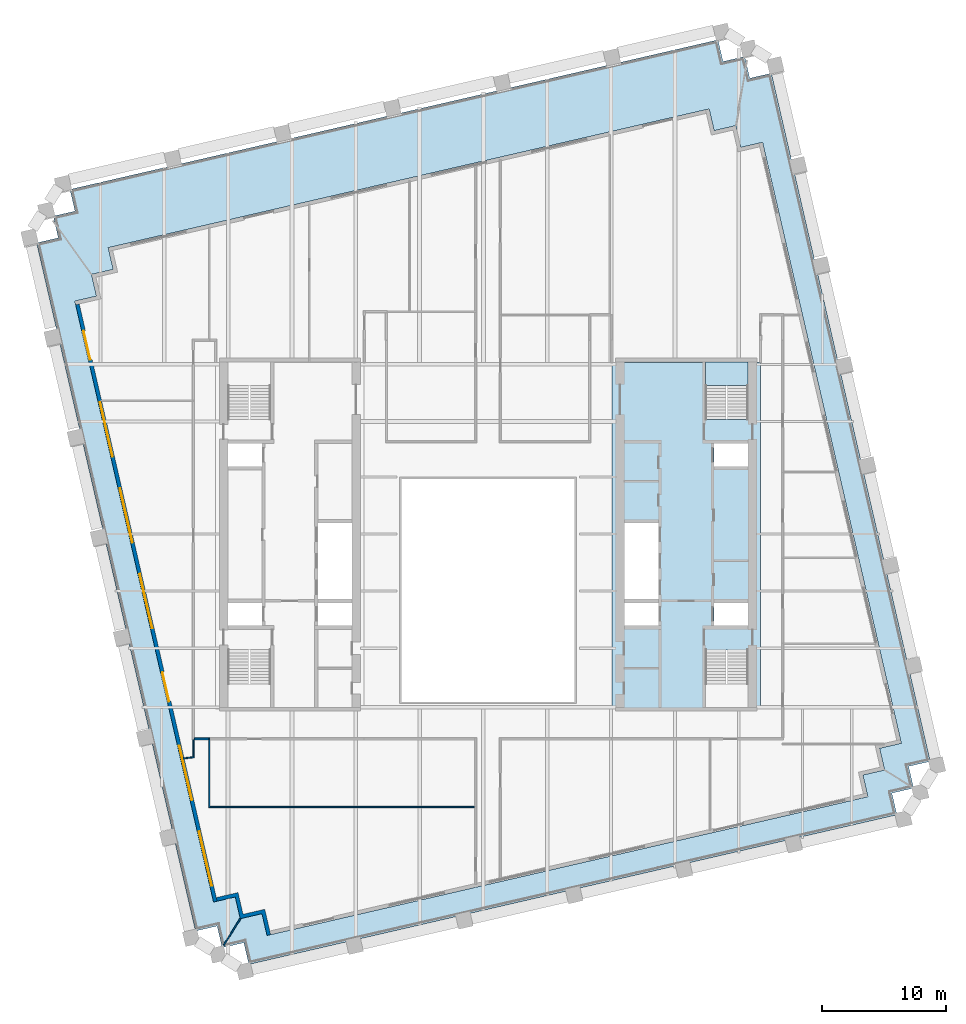
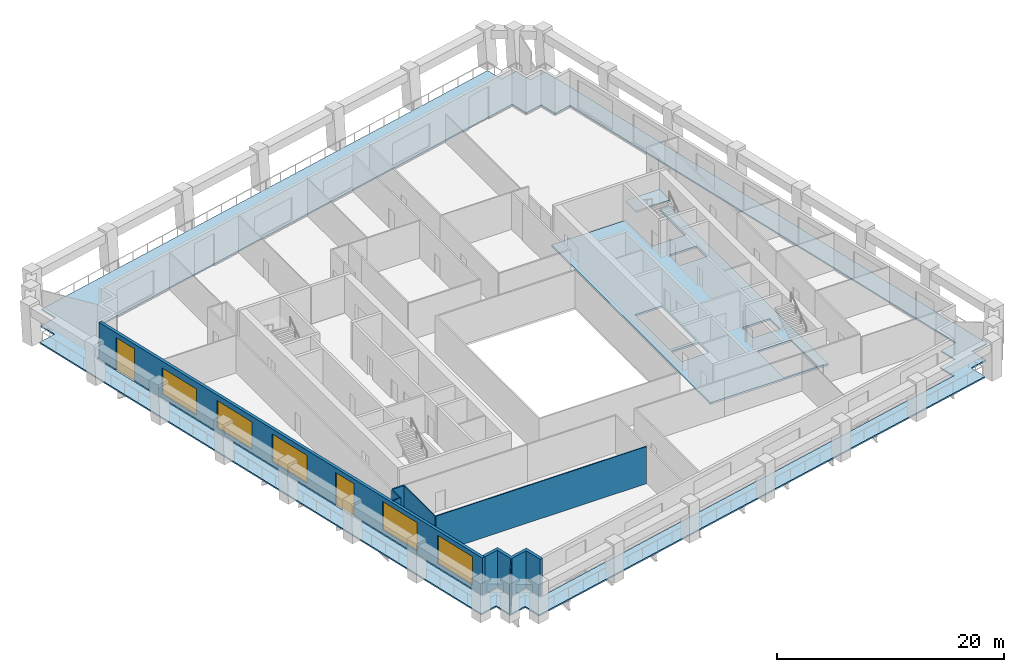
# One storey, part 3 of 10: 8 walls, 5 windows, 3 slabs, 2 doors, 7 openings, 1 element without a shape of its own.
"""IFC4 building model written with IfcOpenShell, lengths in metres."""

from ifc_helpers import new_model, si_unit, direction, frame, frame_2d, origin, place, context, subcontext, project, spatial, polyline, rectangle, outline, extrude, material, layer, layer_set, type_object, element, fill, aggregate, save


model = new_model("IFC4")

# Units and contexts
model_context = context("Model", 3, precision=1e-05, world=origin(), true_north=direction((0.0, 1.0)))
body_context = subcontext(model_context, "Body", "Model", "MODEL_VIEW")
ifc_project = project(units=[si_unit("LENGTHUNIT", "METRE"), si_unit("AREAUNIT", "SQUARE_METRE"), si_unit("VOLUMEUNIT", "CUBIC_METRE"), si_unit("PLANEANGLEUNIT", "RADIAN"), si_unit("MASSUNIT", "GRAM", prefix="KILO")], contexts=[model_context])

# Site, building, storey
site_placement = place(None, origin())
site = spatial("IfcSite", under=ifc_project, at=site_placement, CompositionType="ELEMENT")
building_placement = place(site_placement, origin())
building = spatial("IfcBuilding", under=site, at=building_placement, Name="Ogive Exchange Tower", CompositionType="ELEMENT")
storey_placement = place(building_placement, frame((0.0, 0.0, 205.199951171875)))
storey = spatial("IfcBuildingStorey", under=building, at=storey_placement, Name="L45", CompositionType="ELEMENT", Elevation=205.199951171875)

# Slabs
ifc_material_1 = material(Name="Concrete C70/85", Category="concrete")
ifc_layer_1 = layer(ifc_material_1, 0.199951171875)
ifc_layer_set_1 = layer_set([ifc_layer_1], Name="Core floor slab 200")
slab_type_1 = type_object("IfcSlabType", Name="Core floor slab 200", PredefinedType="FLOOR", material=ifc_layer_set_1)
slab_1_placement = place(storey_placement, frame((0.0, 0.0, -0.199951171875)))
element("IfcSlab", 1, at=slab_1_placement, inside=storey, type_object=slab_type_1, Name="Core floor slab", PredefinedType="FLOOR", context=body_context, shape_type="SweptSolid", body=[
    extrude(outline(polyline([(22.0, 25.39990234375), (22.0, -2.60009765625), (10.0, -2.60009765625), (10.0, 25.39990234375), (17.550048828125, 25.39990234375), (17.550048828125, 20.803955078125), (21.0, 20.803955078125), (21.0, 25.39990234375), (22.0, 25.39990234375)]), holes=[polyline([(21.0, 2.196044921875), (17.550048828125, 2.196044921875), (17.550048828125, -2.449951171875), (21.0, -2.449951171875), (21.0, 2.196044921875)]), polyline([(13.75, 5.992919921875), (11.0, 5.992919921875), (11.0, 4.14990234375), (13.75, 4.14990234375), (13.75, 5.992919921875)]), polyline([(21.0, 5.992919921875), (18.25, 5.992919921875), (18.25, 4.14990234375), (21.0, 4.14990234375), (21.0, 5.992919921875)]), polyline([(11.0, 12.42138671875), (11.0, 6.29296875), (13.75, 6.29296875), (13.75, 12.42138671875), (11.0, 12.42138671875)]), polyline([(21.0, 18.85009765625), (18.25, 18.85009765625), (18.25, 17.007080078125), (21.0, 17.007080078125), (21.0, 18.85009765625)])]), origin(), (0.0, 0.0, 1.0), 0.199951171875),
])
ifc_material_2 = material(Name="Concrete C50/60", Category="concrete")
ifc_layer_2 = layer(ifc_material_2, 0.14990234375)
ifc_layer_set_2 = layer_set([ifc_layer_2], Name="Loggia deck 150")
slab_type_2 = type_object("IfcSlabType", Name="Loggia deck 150", PredefinedType="FLOOR", material=ifc_layer_set_2)
slab_2_placement = place(storey_placement, frame((0.0, 0.0, -0.199951171875)))
element("IfcSlab", 2, at=slab_2_placement, inside=storey, type_object=slab_type_2, Name="Loggia deck", PredefinedType="FLOOR", context=body_context, shape_type="SweptSolid", body=[
    extrude(outline(polyline([(-19.717041015625, -21.45556640625), (-21.470947265625, -21.860595703125), (-21.875732421875, -20.106689453125), (-23.629638671875, -20.51171875), (-36.4580078125, 35.054443359375), (-34.7041015625, 35.45947265625), (-35.109130859375, 37.21337890625), (-33.355224609375, 37.6181640625), (-33.76025390625, 39.3720703125), (18.5634765625, 51.451904296875), (18.968505859375, 49.697998046875), (20.722412109375, 50.10302734375), (21.127197265625, 48.34912109375), (22.881103515625, 48.75390625), (35.70947265625, -6.81201171875), (33.95556640625, -7.217041015625), (34.360595703125, -8.970947265625), (32.606689453125, -9.375732421875), (33.01171875, -11.129638671875), (-19.31201171875, -23.20947265625), (-19.717041015625, -21.45556640625)]), holes=[polyline([(30.26806640625, -7.914306640625), (32.02197265625, -7.509521484375), (31.616943359375, -5.755615234375), (33.370849609375, -5.3505859375), (22.168212890625, 43.1728515625), (20.414306640625, 42.76806640625), (20.009521484375, 44.52197265625), (18.255615234375, 44.116943359375), (17.8505859375, 45.870849609375), (-30.6728515625, 34.668212890625), (-30.26806640625, 32.914306640625), (-32.02197265625, 32.509521484375), (-31.616943359375, 30.755615234375), (-33.370849609375, 30.3505859375), (-22.168212890625, -18.1728515625), (-20.414306640625, -17.76806640625), (-20.009521484375, -19.52197265625), (-18.255615234375, -19.116943359375), (-17.8505859375, -20.870849609375), (30.6728515625, -9.668212890625), (30.26806640625, -7.914306640625)])]), origin(), (0.0, 0.0, 1.0), 0.14990234375),
])

# Stair, slab
ifc_material_3 = material(Name="Concrete C40/50", Category="concrete")
stair_type = type_object("IfcStairType", Name="Exit stair 1650 wide", PredefinedType="HALF_TURN_STAIR", material=ifc_material_3)
stair_placement = place(storey_placement, origin())
stair = element("IfcStair", 3, at=stair_placement, inside=storey, type_object=stair_type, Name="L45 exit stair ST4", PredefinedType="HALF_TURN_STAIR")
ifc_layer_3 = layer(ifc_material_3, 0.199951171875)
ifc_layer_set_3 = layer_set([ifc_layer_3], Name="Stair landing 200 slab")
slab_type_3 = type_object("IfcSlabType", Name="Stair landing 200 slab", PredefinedType="LANDING", material=ifc_layer_set_3)
slab_3_placement = place(storey_placement, frame((0.0, 0.0, 1.900146484375)))
slab_3 = element("IfcSlab", 4, at=slab_3_placement, type_object=slab_type_3, Name="ST4 landing 1", PredefinedType="LANDING", context=body_context, shape_type="SweptSolid", body=[
    extrude(outline(polyline([(21.0, 23.550048828125), (21.0, 25.449951171875), (17.550048828125, 25.449951171875), (17.550048828125, 23.550048828125), (21.0, 23.550048828125)])), origin(), (0.0, 0.0, 1.0), 0.199951171875),
])
aggregate(stair, [slab_3])

# Wall
ifc_material_4 = material(Name="Fire partition EI 60 150")
ifc_layer_4 = layer(ifc_material_4, 0.14990234375)
ifc_layer_set_4 = layer_set([ifc_layer_4], Name="Fire partition EI 60 150")
wall_type_1 = type_object("IfcWallType", Name="Fire partition EI 60 150", PredefinedType="PARTITIONING", material=ifc_layer_set_4)
wall_1_placement = place(storey_placement, frame((-22.570068359375, -5.0, 0.0), z_axis=(0.0, 0.0, 1.0), x_axis=(-1.0, 0.0, 0.0)))
element("IfcWall", 5, at=wall_1_placement, inside=storey, type_object=wall_type_1, Name="L45-PWL-008", PredefinedType="PARTITIONING", context=body_context, shape_type="SweptSolid", body=[
    extrude(rectangle(XDim=1.14501953125, YDim=0.14990234375, at=frame_2d((0.572509765625, 0.0))), origin(), (0.0, 0.0, 1.0), 4.0),
])

# Wall, openings, doors, windows
ifc_material_5 = material(Name="Precast concrete C40/50", Category="concrete")
ifc_layer_5 = layer(ifc_material_5, 0.300048828125)
ifc_layer_set_5 = layer_set([ifc_layer_5], Name="Limestone-faced wall 300")
wall_type_2 = type_object("IfcWallType", Name="Limestone-faced wall 300", PredefinedType="STANDARD", material=ifc_layer_set_5)
wall_2_placement = place(storey_placement, frame((-33.1572265625, 30.092041015625, 0.0), z_axis=(0.0, 0.0, 1.0), x_axis=(0.224950279389, -0.974370243697, 0.0)))
wall_2 = element("IfcWall", 6, at=wall_2_placement, inside=storey, type_object=wall_type_2, Name="External wall W4", PredefinedType="STANDARD", context=body_context, shape_type="SweptSolid", body=[
    extrude(rectangle(XDim=49.499755859375, YDim=0.300048828125, at=frame_2d((24.75, 0.0))), origin(), (0.0, 0.0, 1.0), 4.0),
])
opening_1_placement = place(wall_2_placement, frame((2.20703125, 0.0, 0.0)))
opening_1 = element("IfcOpeningElement", 7, at=opening_1_placement, cuts=wall_2, Name="Opening D1", PredefinedType="OPENING", context=body_context, shape_type="SweptSolid", body=[
    extrude(rectangle(XDim=2.39990234375, YDim=3.5, at=frame_2d((1.199951171875, 1.75))), frame((0.0, 0.159912109375, 0.0), z_axis=(0.0, -1.0, 0.0), x_axis=(1.0, 0.0, 0.0)), (0.0, 0.0, 1.0), 0.320068359375),
])
opening_2_placement = place(wall_2_placement, frame((8.121337890625, 0.0, 0.449951171875)))
opening_2 = element("IfcOpeningElement", 8, at=opening_2_placement, cuts=wall_2, Name="Opening W1E", PredefinedType="OPENING", context=body_context, shape_type="SweptSolid", body=[
    extrude(rectangle(XDim=4.5, YDim=2.824951171875, at=frame_2d((2.25, 1.41259765625))), frame((0.0, 0.159912109375, 0.0), z_axis=(0.0, -1.0, 0.0), x_axis=(1.0, 0.0, 0.0)), (0.0, 0.0, 1.0), 0.320068359375),
])
opening_3_placement = place(wall_2_placement, frame((15.235595703125, 0.0, 0.449951171875)))
opening_3 = element("IfcOpeningElement", 9, at=opening_3_placement, cuts=wall_2, Name="Opening W1B", PredefinedType="OPENING", context=body_context, shape_type="SweptSolid", body=[
    extrude(rectangle(XDim=4.5, YDim=2.949951171875, at=frame_2d((2.25, 1.47509765625))), frame((0.0, 0.159912109375, 0.0), z_axis=(0.0, -1.0, 0.0), x_axis=(1.0, 0.0, 0.0)), (0.0, 0.0, 1.0), 0.320068359375),
])
opening_4_placement = place(wall_2_placement, frame((22.35009765625, 0.0, 0.449951171875)))
opening_4 = element("IfcOpeningElement", 10, at=opening_4_placement, cuts=wall_2, Name="Opening W1A", PredefinedType="OPENING", context=body_context, shape_type="SweptSolid", body=[
    extrude(rectangle(XDim=4.5, YDim=3.0, at=frame_2d((2.25, 1.5))), frame((0.0, 0.159912109375, 0.0), z_axis=(0.0, -1.0, 0.0), x_axis=(1.0, 0.0, 0.0)), (0.0, 0.0, 1.0), 0.320068359375),
])
opening_5_placement = place(wall_2_placement, frame((30.51416015625, 0.0, 0.0)))
opening_5 = element("IfcOpeningElement", 11, at=opening_5_placement, cuts=wall_2, Name="Opening D1", PredefinedType="OPENING", context=body_context, shape_type="SweptSolid", body=[
    extrude(rectangle(XDim=2.39990234375, YDim=3.5, at=frame_2d((1.199951171875, 1.75))), frame((0.0, 0.159912109375, 0.0), z_axis=(0.0, -1.0, 0.0), x_axis=(1.0, 0.0, 0.0)), (0.0, 0.0, 1.0), 0.320068359375),
])
opening_6_placement = place(wall_2_placement, frame((36.57861328125, 0.0, 0.449951171875)))
opening_6 = element("IfcOpeningElement", 12, at=opening_6_placement, cuts=wall_2, Name="Opening W1", PredefinedType="OPENING", context=body_context, shape_type="SweptSolid", body=[
    extrude(rectangle(XDim=4.5, YDim=3.050048828125, at=frame_2d((2.25, 1.52490234375))), frame((0.0, 0.159912109375, 0.0), z_axis=(0.0, -1.0, 0.0), x_axis=(1.0, 0.0, 0.0)), (0.0, 0.0, 1.0), 0.320068359375),
])
opening_7_placement = place(wall_2_placement, frame((43.69287109375, 0.0, 0.449951171875)))
opening_7 = element("IfcOpeningElement", 13, at=opening_7_placement, cuts=wall_2, Name="Opening W1", PredefinedType="OPENING", context=body_context, shape_type="SweptSolid", body=[
    extrude(rectangle(XDim=4.5, YDim=3.050048828125, at=frame_2d((2.25, 1.52490234375))), frame((0.0, 0.159912109375, 0.0), z_axis=(0.0, -1.0, 0.0), x_axis=(1.0, 0.0, 0.0)), (0.0, 0.0, 1.0), 0.320068359375),
])
ifc_material_6 = material(Name="Clear glass in bronze frame", Category="glass")
door_type = type_object("IfcDoorType", Name="Sliding loggia door 2400 x 3500", OperationType="DOUBLE_DOOR_SLIDING", PredefinedType="DOOR", material=ifc_material_6)
door_1_placement = place(opening_1_placement, origin())
door_1 = element("IfcDoor", 14, at=door_1_placement, inside=storey, type_object=door_type, Name="Loggia door W00", OperationType="DOUBLE_DOOR_SLIDING", OverallHeight=3.5, OverallWidth=2.39990234375, PredefinedType="DOOR", context=body_context, shape_type="SweptSolid", body=[
    extrude(rectangle(XDim=2.39990234375, YDim=3.5, at=frame_2d((1.199951171875, 1.75))), frame((0.0, 0.02490234375, 0.0), z_axis=(0.0, -1.0, 0.0), x_axis=(1.0, 0.0, 0.0)), (0.0, 0.0, 1.0), 0.050048828125),
])
fill(opening_1, door_1)
door_2_placement = place(opening_5_placement, origin())
door_2 = element("IfcDoor", 15, at=door_2_placement, inside=storey, type_object=door_type, Name="Loggia door W04", OperationType="DOUBLE_DOOR_SLIDING", OverallHeight=3.5, OverallWidth=2.39990234375, PredefinedType="DOOR", context=body_context, shape_type="SweptSolid", body=[
    extrude(rectangle(XDim=2.39990234375, YDim=3.5, at=frame_2d((1.199951171875, 1.75))), frame((0.0, 0.02490234375, 0.0), z_axis=(0.0, -1.0, 0.0), x_axis=(1.0, 0.0, 0.0)), (0.0, 0.0, 1.0), 0.050048828125),
])
fill(opening_5, door_2)
window_type_1 = type_object("IfcWindowType", Name="Twin lancet window 4500 x 2825", PartitioningType="DOUBLE_PANEL_VERTICAL", PredefinedType="WINDOW", material=ifc_material_6)
window_1_placement = place(opening_2_placement, origin())
window_1 = element("IfcWindow", 16, at=window_1_placement, inside=storey, type_object=window_type_1, Name="Window W01", OverallHeight=2.824951171875, OverallWidth=4.5, PartitioningType="DOUBLE_PANEL_VERTICAL", PredefinedType="WINDOW", context=body_context, shape_type="SweptSolid", body=[
    extrude(rectangle(XDim=4.5, YDim=2.824951171875, at=frame_2d((2.25, 1.41259765625))), frame((0.0, 0.030029296875, 0.0), z_axis=(0.0, -1.0, 0.0), x_axis=(1.0, 0.0, 0.0)), (0.0, 0.0, 1.0), 0.06005859375),
])
fill(opening_2, window_1)
window_type_2 = type_object("IfcWindowType", Name="Twin lancet window 4500 x 2950", PartitioningType="DOUBLE_PANEL_VERTICAL", PredefinedType="WINDOW", material=ifc_material_6)
window_2_placement = place(opening_3_placement, origin())
window_2 = element("IfcWindow", 17, at=window_2_placement, inside=storey, type_object=window_type_2, Name="Window W02", OverallHeight=2.949951171875, OverallWidth=4.5, PartitioningType="DOUBLE_PANEL_VERTICAL", PredefinedType="WINDOW", context=body_context, shape_type="SweptSolid", body=[
    extrude(rectangle(XDim=4.5, YDim=2.949951171875, at=frame_2d((2.25, 1.47509765625))), frame((0.0, 0.030029296875, 0.0), z_axis=(0.0, -1.0, 0.0), x_axis=(1.0, 0.0, 0.0)), (0.0, 0.0, 1.0), 0.06005859375),
])
fill(opening_3, window_2)
window_type_3 = type_object("IfcWindowType", Name="Twin lancet window 4500 x 3000", PartitioningType="DOUBLE_PANEL_VERTICAL", PredefinedType="WINDOW", material=ifc_material_6)
window_3_placement = place(opening_4_placement, origin())
window_3 = element("IfcWindow", 18, at=window_3_placement, inside=storey, type_object=window_type_3, Name="Window W03", OverallHeight=3.0, OverallWidth=4.5, PartitioningType="DOUBLE_PANEL_VERTICAL", PredefinedType="WINDOW", context=body_context, shape_type="SweptSolid", body=[
    extrude(rectangle(XDim=4.5, YDim=3.0, at=frame_2d((2.25, 1.5))), frame((0.0, 0.030029296875, 0.0), z_axis=(0.0, -1.0, 0.0), x_axis=(1.0, 0.0, 0.0)), (0.0, 0.0, 1.0), 0.06005859375),
])
fill(opening_4, window_3)
window_type_4 = type_object("IfcWindowType", Name="Twin lancet window 4500 x 3050", PartitioningType="DOUBLE_PANEL_VERTICAL", PredefinedType="WINDOW", material=ifc_material_6)
window_4_placement = place(opening_6_placement, origin())
window_4 = element("IfcWindow", 19, at=window_4_placement, inside=storey, type_object=window_type_4, Name="Window W05", OverallHeight=3.050048828125, OverallWidth=4.5, PartitioningType="DOUBLE_PANEL_VERTICAL", PredefinedType="WINDOW", context=body_context, shape_type="SweptSolid", body=[
    extrude(rectangle(XDim=4.5, YDim=3.050048828125, at=frame_2d((2.25, 1.52490234375))), frame((0.0, 0.030029296875, 0.0), z_axis=(0.0, -1.0, 0.0), x_axis=(1.0, 0.0, 0.0)), (0.0, 0.0, 1.0), 0.06005859375),
])
fill(opening_6, window_4)
window_5_placement = place(opening_7_placement, origin())
window_5 = element("IfcWindow", 20, at=window_5_placement, inside=storey, type_object=window_type_4, Name="Window W06", OverallHeight=3.050048828125, OverallWidth=4.5, PartitioningType="DOUBLE_PANEL_VERTICAL", PredefinedType="WINDOW", context=body_context, shape_type="SweptSolid", body=[
    extrude(rectangle(XDim=4.5, YDim=3.050048828125, at=frame_2d((2.25, 1.52490234375))), frame((0.0, 0.030029296875, 0.0), z_axis=(0.0, -1.0, 0.0), x_axis=(1.0, 0.0, 0.0)), (0.0, 0.0, 1.0), 0.06005859375),
])
fill(opening_7, window_5)

# Walls
wall_3_placement = place(storey_placement, origin())
element("IfcWall", 21, at=wall_3_placement, inside=storey, type_object=wall_type_2, Name="External corner wall C4", PredefinedType="STANDARD", context=body_context, shape_type="SweptSolid", body=[
    extrude(outline(polyline([(-18.255615234375, -19.116943359375), (-20.009521484375, -19.52197265625), (-20.414306640625, -17.76806640625), (-21.8759765625, -18.10546875), (-21.943359375, -17.81298828125), (-20.189697265625, -17.408203125), (-19.78466796875, -19.162109375), (-18.03076171875, -18.757080078125), (-17.558349609375, -20.80322265625), (-17.8505859375, -20.870849609375), (-18.255615234375, -19.116943359375)])), origin(), (0.0, 0.0, 1.0), 4.0),
])
ifc_material_7 = material(Name="Laminated safety glass in steel frame", Category="steel")
ifc_layer_6 = layer(ifc_material_7, 0.10009765625)
ifc_layer_set_6 = layer_set([ifc_layer_6], Name="Loggia end screen 100")
wall_type_3 = type_object("IfcWallType", Name="Loggia end screen 100", PredefinedType="STANDARD", material=ifc_layer_set_6)
wall_4_placement = place(storey_placement, frame((-20.009521484375, -19.52197265625, -0.050048828125), z_axis=(0.0, 0.0, 1.0), x_axis=(-0.529920736377, -0.848047176257, 0.0)))
element("IfcWall", 22, at=wall_4_placement, inside=storey, type_object=wall_type_3, Name="Loggia end screen C4", PredefinedType="STANDARD", context=body_context, shape_type="SweptSolid", body=[
    extrude(rectangle(XDim=2.525634765625, YDim=0.10009765625, at=frame_2d((1.2626953125, 0.0))), origin(), (0.0, 0.0, 1.0), 4.050048828125),
])
ifc_material_8 = material(Name="Partition 100 gypsum")
ifc_layer_7 = layer(ifc_material_8, 0.10009765625)
ifc_layer_set_7 = layer_set([ifc_layer_7], Name="Partition 100 gypsum")
wall_type_4 = type_object("IfcWallType", Name="Partition 100 gypsum", PredefinedType="PARTITIONING", material=ifc_layer_set_7)
wall_5_placement = place(storey_placement, frame((-24.6201171875, -6.574951171875, 0.0), z_axis=(0.0, 0.0, 1.0), x_axis=(0.993501545499, 0.113818623659, 0.0)))
element("IfcWall", 23, at=wall_5_placement, inside=storey, type_object=wall_type_4, Name="L45-PWL-002", PredefinedType="PARTITIONING", context=body_context, shape_type="SweptSolid", body=[
    extrude(rectangle(XDim=0.885986328125, YDim=0.10009765625, at=frame_2d((0.44287109375, 0.0))), origin(), (0.0, 0.0, 1.0), 4.0),
])
wall_6_placement = place(storey_placement, frame((-23.7900390625, -5.074951171875, 0.0), z_axis=(0.0, 0.0, 1.0), x_axis=(0.0, -1.0, 0.0)))
element("IfcWall", 24, at=wall_6_placement, inside=storey, type_object=wall_type_4, Name="L45-PWL-006", PredefinedType="PARTITIONING", context=body_context, shape_type="SweptSolid", body=[
    extrude(rectangle(XDim=1.35498046875, YDim=0.10009765625, at=frame_2d((0.677490234375, 0.0))), origin(), (0.0, 0.0, 1.0), 4.0),
])
wall_7_placement = place(storey_placement, frame((-22.52001953125, -10.550048828125, 0.0), z_axis=(0.0, 0.0, 1.0), x_axis=(0.0, 1.0, 0.0)))
element("IfcWall", 25, at=wall_7_placement, inside=storey, type_object=wall_type_4, Name="L45-PWL-007", PredefinedType="PARTITIONING", context=body_context, shape_type="SweptSolid", body=[
    extrude(rectangle(XDim=5.625, YDim=0.10009765625, at=frame_2d((2.8125, 0.0))), origin(), (0.0, 0.0, 1.0), 4.0),
])
wall_8_placement = place(storey_placement, frame((-1.06494140625, -10.5, 0.0), z_axis=(0.0, 0.0, 1.0), x_axis=(-1.0, 0.0, 0.0)))
element("IfcWall", 26, at=wall_8_placement, inside=storey, type_object=wall_type_4, Name="L45-PWL-024", PredefinedType="PARTITIONING", context=body_context, shape_type="SweptSolid", body=[
    extrude(rectangle(XDim=21.405029296875, YDim=0.10009765625, at=frame_2d((10.70263671875, 0.0))), origin(), (0.0, 0.0, 1.0), 4.0),
])

save(model, "model.ifc")
